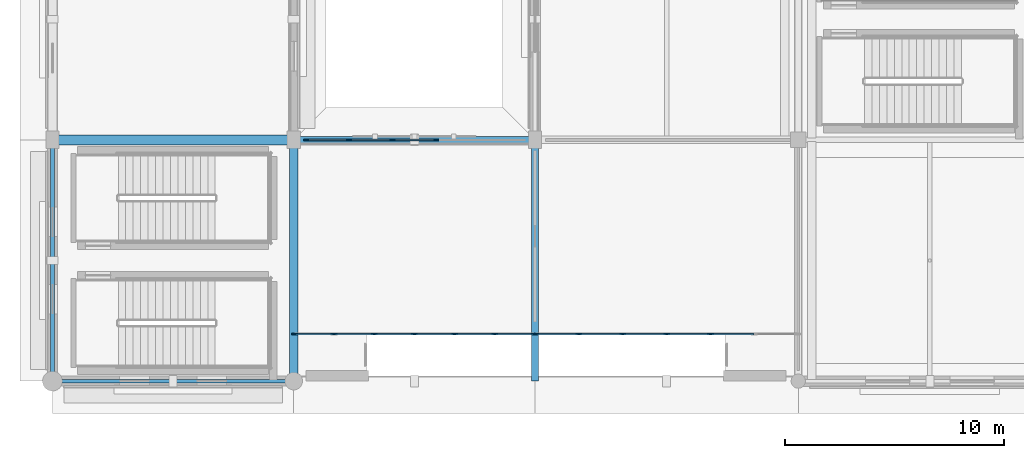
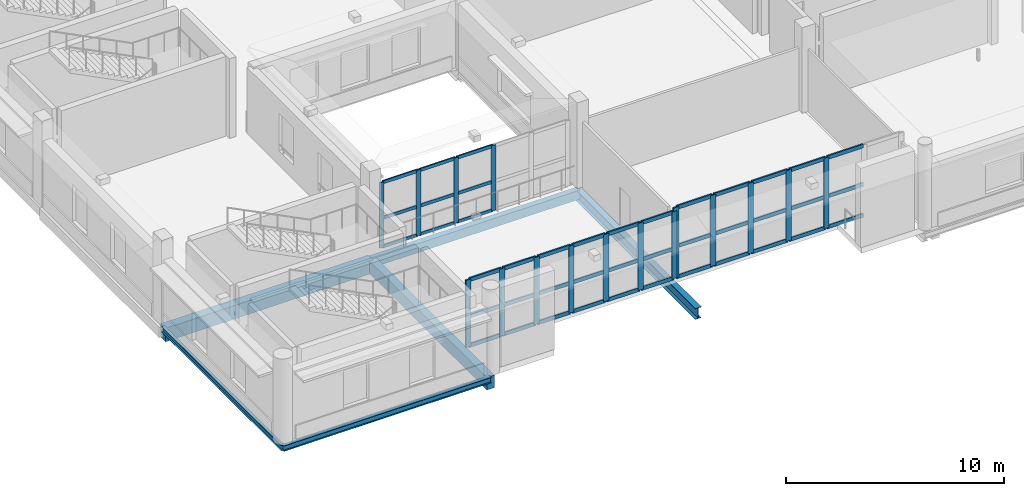
# One storey, part 22 of 143: 58 members, 6 beams, 3 elements without a shape of their own.
"""IFC4 building model written with IfcOpenShell, lengths in metres."""

from ifc_helpers import new_model, si_unit, direction, frame, origin, origin_2d, place, context, subcontext, project, spatial, rectangle, hollow_rectangle, i_section, extrude, material, material_profile, profile_set, type_object, element, aggregate, save


model = new_model("IFC4")

# Units and contexts
model_context = context("Model", 3, precision=1e-05, world=origin(), true_north=direction((0.0, 1.0)))
body_context = subcontext(model_context, "Body", "Model", "MODEL_VIEW")
ifc_project = project(units=[si_unit("LENGTHUNIT", "METRE"), si_unit("AREAUNIT", "SQUARE_METRE"), si_unit("VOLUMEUNIT", "CUBIC_METRE"), si_unit("PLANEANGLEUNIT", "RADIAN"), si_unit("MASSUNIT", "GRAM", prefix="KILO")], contexts=[model_context])

# Site, building, storey
site_placement = place(None, origin())
site = spatial("IfcSite", under=ifc_project, at=site_placement, CompositionType="ELEMENT")
building_placement = place(site_placement, origin())
building = spatial("IfcBuilding", under=site, at=building_placement, Name="Luwafu Chhajja Arena", CompositionType="ELEMENT")
storey_placement = place(building_placement, frame((0.0, 0.0, 5.39990234375)))
storey = spatial("IfcBuildingStorey", under=building, at=storey_placement, Name="L01", CompositionType="ELEMENT", Elevation=5.39990234375)

# Curtain wall, members
ifc_material_1 = material(Name="Anodised bronze aluminium", Category="aluminium")
curtain_wall_type_1 = type_object("IfcCurtainWallType", Name="Warm-Up Gallery Curtain Wall", PredefinedType="USERDEFINED", material=ifc_material_1)
curtain_wall_1_placement = place(storey_placement, origin())
curtain_wall_1 = element("IfcCurtainWall", 1, at=curtain_wall_1_placement, inside=storey, type_object=curtain_wall_type_1, Name="L01 Curtain Wall CWG-L01-H01_01", ObjectType="CURTAIN WALL", PredefinedType="USERDEFINED")
ifc_material_profile_1 = material_profile(ifc_material_1, rectangle(XDim=0.070068359375, YDim=0.239990234375, at=origin_2d()), Name="CWM 70x240")
ifc_profile_set_1 = profile_set([ifc_material_profile_1], Name="Anodised bronze aluminium")
member_type_1 = type_object("IfcMemberType", Name="Bronze Curtain Wall Mullion 70x240", PredefinedType="MULLION", material=ifc_profile_set_1)
member_1_placement = place(storey_placement, frame((11.574951171875, 11.0, 0.030029296875), z_axis=(0.0, 0.0, 1.0), x_axis=(0.0, 1.0, 0.0)))
member_1 = element("IfcMember", 2, at=member_1_placement, type_object=member_type_1, Name="CW-08 mullion 1", PredefinedType="MULLION", context=body_context, shape_type="SweptSolid", body=[
    extrude(rectangle(XDim=0.070068359375, YDim=0.239990234375, at=origin_2d()), origin(), (0.0, 0.0, 1.0), 3.66015625),
])
member_2_placement = place(storey_placement, frame((13.52392578125, 11.0, 0.030029296875), z_axis=(0.0, 0.0, 1.0), x_axis=(0.0, 1.0, 0.0)))
member_2 = element("IfcMember", 3, at=member_2_placement, type_object=member_type_1, Name="CW-08 mullion 2", PredefinedType="MULLION", context=body_context, shape_type="SweptSolid", body=[
    extrude(rectangle(XDim=0.070068359375, YDim=0.239990234375, at=origin_2d()), origin(), (0.0, 0.0, 1.0), 3.66015625),
])
member_3_placement = place(storey_placement, frame((15.508056640625, 11.0, 0.030029296875), z_axis=(0.0, 0.0, 1.0), x_axis=(0.0, 1.0, 0.0)))
member_3 = element("IfcMember", 4, at=member_3_placement, type_object=member_type_1, Name="CW-08 mullion 3", PredefinedType="MULLION", context=body_context, shape_type="SweptSolid", body=[
    extrude(rectangle(XDim=0.070068359375, YDim=0.239990234375, at=origin_2d()), origin(), (0.0, 0.0, 1.0), 3.66015625),
])
member_4_placement = place(storey_placement, frame((17.491943359375, 11.0, 0.030029296875), z_axis=(0.0, 0.0, 1.0), x_axis=(0.0, 1.0, 0.0)))
member_4 = element("IfcMember", 5, at=member_4_placement, type_object=member_type_1, Name="CW-08 mullion 4", PredefinedType="MULLION", context=body_context, shape_type="SweptSolid", body=[
    extrude(rectangle(XDim=0.070068359375, YDim=0.239990234375, at=origin_2d()), origin(), (0.0, 0.0, 1.0), 3.66015625),
])
ifc_material_profile_2 = material_profile(ifc_material_1, rectangle(XDim=0.070068359375, YDim=0.179931640625, at=origin_2d()), Name="CWT 70x180")
ifc_profile_set_2 = profile_set([ifc_material_profile_2], Name="Anodised bronze aluminium")
member_type_2 = type_object("IfcMemberType", Name="Bronze Curtain Wall Transom 70x180", PredefinedType="USERDEFINED", material=ifc_profile_set_2)
member_5_placement = place(storey_placement, frame((11.610107421875, 11.0, 0.065185546875), z_axis=(1.0, 0.0, 0.0), x_axis=(0.0, 1.0, 0.0)))
member_5 = element("IfcMember", 6, at=member_5_placement, type_object=member_type_2, Name="CW-08 transom 1.1", ObjectType="TRANSOM", PredefinedType="USERDEFINED", context=body_context, shape_type="SweptSolid", body=[
    extrude(rectangle(XDim=0.070068359375, YDim=0.179931640625, at=origin_2d()), origin(), (0.0, 0.0, 1.0), 1.87890625),
])
member_6_placement = place(storey_placement, frame((11.610107421875, 11.0, 1.66064453125), z_axis=(1.0, 0.0, 0.0), x_axis=(0.0, 1.0, 0.0)))
member_6 = element("IfcMember", 7, at=member_6_placement, type_object=member_type_2, Name="CW-08 transom 1.2", ObjectType="TRANSOM", PredefinedType="USERDEFINED", context=body_context, shape_type="SweptSolid", body=[
    extrude(rectangle(XDim=0.070068359375, YDim=0.179931640625, at=origin_2d()), origin(), (0.0, 0.0, 1.0), 1.87890625),
])
member_7_placement = place(storey_placement, frame((11.610107421875, 11.0, 3.655029296875), z_axis=(1.0, 0.0, 0.0), x_axis=(0.0, 1.0, 0.0)))
member_7 = element("IfcMember", 8, at=member_7_placement, type_object=member_type_2, Name="CW-08 transom 1.3", ObjectType="TRANSOM", PredefinedType="USERDEFINED", context=body_context, shape_type="SweptSolid", body=[
    extrude(rectangle(XDim=0.070068359375, YDim=0.179931640625, at=origin_2d()), origin(), (0.0, 0.0, 1.0), 1.87890625),
])
member_8_placement = place(storey_placement, frame((13.55908203125, 11.0, 0.065185546875), z_axis=(1.0, 0.0, 0.0), x_axis=(0.0, 1.0, 0.0)))
member_8 = element("IfcMember", 9, at=member_8_placement, type_object=member_type_2, Name="CW-08 transom 2.1", ObjectType="TRANSOM", PredefinedType="USERDEFINED", context=body_context, shape_type="SweptSolid", body=[
    extrude(rectangle(XDim=0.070068359375, YDim=0.179931640625, at=origin_2d()), origin(), (0.0, 0.0, 1.0), 1.913818359375),
])
member_9_placement = place(storey_placement, frame((13.55908203125, 11.0, 1.66064453125), z_axis=(1.0, 0.0, 0.0), x_axis=(0.0, 1.0, 0.0)))
member_9 = element("IfcMember", 10, at=member_9_placement, type_object=member_type_2, Name="CW-08 transom 2.2", ObjectType="TRANSOM", PredefinedType="USERDEFINED", context=body_context, shape_type="SweptSolid", body=[
    extrude(rectangle(XDim=0.070068359375, YDim=0.179931640625, at=origin_2d()), origin(), (0.0, 0.0, 1.0), 1.913818359375),
])
member_10_placement = place(storey_placement, frame((13.55908203125, 11.0, 3.655029296875), z_axis=(1.0, 0.0, 0.0), x_axis=(0.0, 1.0, 0.0)))
member_10 = element("IfcMember", 11, at=member_10_placement, type_object=member_type_2, Name="CW-08 transom 2.3", ObjectType="TRANSOM", PredefinedType="USERDEFINED", context=body_context, shape_type="SweptSolid", body=[
    extrude(rectangle(XDim=0.070068359375, YDim=0.179931640625, at=origin_2d()), origin(), (0.0, 0.0, 1.0), 1.913818359375),
])
member_11_placement = place(storey_placement, frame((15.54296875, 11.0, 0.065185546875), z_axis=(1.0, 0.0, 0.0), x_axis=(0.0, 1.0, 0.0)))
member_11 = element("IfcMember", 12, at=member_11_placement, type_object=member_type_2, Name="CW-08 transom 3.1", ObjectType="TRANSOM", PredefinedType="USERDEFINED", context=body_context, shape_type="SweptSolid", body=[
    extrude(rectangle(XDim=0.070068359375, YDim=0.179931640625, at=origin_2d()), origin(), (0.0, 0.0, 1.0), 1.9140625),
])
member_12_placement = place(storey_placement, frame((15.54296875, 11.0, 1.66064453125), z_axis=(1.0, 0.0, 0.0), x_axis=(0.0, 1.0, 0.0)))
member_12 = element("IfcMember", 13, at=member_12_placement, type_object=member_type_2, Name="CW-08 transom 3.2", ObjectType="TRANSOM", PredefinedType="USERDEFINED", context=body_context, shape_type="SweptSolid", body=[
    extrude(rectangle(XDim=0.070068359375, YDim=0.179931640625, at=origin_2d()), origin(), (0.0, 0.0, 1.0), 1.9140625),
])
member_13_placement = place(storey_placement, frame((15.54296875, 11.0, 3.655029296875), z_axis=(1.0, 0.0, 0.0), x_axis=(0.0, 1.0, 0.0)))
member_13 = element("IfcMember", 14, at=member_13_placement, type_object=member_type_2, Name="CW-08 transom 3.3", ObjectType="TRANSOM", PredefinedType="USERDEFINED", context=body_context, shape_type="SweptSolid", body=[
    extrude(rectangle(XDim=0.070068359375, YDim=0.179931640625, at=origin_2d()), origin(), (0.0, 0.0, 1.0), 1.9140625),
])
aggregate(curtain_wall_1, [member_1, member_2, member_3, member_4, member_5, member_6, member_7, member_8, member_9, member_10, member_11, member_12, member_13])

# Beams
ifc_material_2 = material(Name="Steel S355", Category="steel")
ifc_material_profile_3 = material_profile(ifc_material_2, i_section(OverallWidth=0.165771484375, OverallDepth=0.306640625, WebThickness=0.006591796875, FlangeThickness=0.01171875, at=origin_2d()), Name="UB 305x165x46")
ifc_profile_set_3 = profile_set([ifc_material_profile_3], Name="Steel S355")
beam_type_1 = type_object("IfcBeamType", Name="Concourse Edge Spandrel Beam UB 305x165x46", PredefinedType="SPANDREL", material=ifc_profile_set_3)
for number, where, z_axis, x_axis, name in (
    (15, (0.0, 0.0, -0.483154296875), (1.0, 0.0, 0.0), (0.0, 1.0, 0.0), "L01 Grid Beam 1-2/A"),
    (16, (0.0, 0.0, -0.483154296875), (0.0, 1.0, 0.0), (-1.0, 0.0, 0.0), "L01 Grid Beam 1/A-B"),
):
    element("IfcBeam", number, at=place(storey_placement, frame(where, z_axis=z_axis, x_axis=x_axis)), inside=storey, type_object=beam_type_1, Name=name, PredefinedType="SPANDREL", context=body_context, shape_type="SweptSolid", body=[
        extrude(i_section(OverallWidth=0.165771484375, OverallDepth=0.306640625, WebThickness=0.006591796875, FlangeThickness=0.01171875, at=origin_2d()), origin(), (0.0, 0.0, 1.0), 11.0),
    ])

# Curtain wall, members
curtain_wall_type_2 = type_object("IfcCurtainWallType", Name="Pishtaq Monumental Portal Curtain Wall", PredefinedType="USERDEFINED", material=ifc_material_1)
curtain_wall_2_placement = place(storey_placement, origin())
curtain_wall_2 = element("IfcCurtainWall", 17, at=curtain_wall_2_placement, inside=storey, type_object=curtain_wall_type_2, Name="L01 Curtain Wall CWG-L01-H01_00", ObjectType="CURTAIN WALL", PredefinedType="USERDEFINED")
ifc_material_profile_4 = material_profile(ifc_material_1, rectangle(XDim=0.080078125, YDim=0.280029296875, at=origin_2d()), Name="CWM 80x280")
ifc_profile_set_4 = profile_set([ifc_material_profile_4], Name="Anodised bronze aluminium")
member_type_3 = type_object("IfcMemberType", Name="Pishtaq Portal Mullion 80x280", PredefinedType="MULLION", material=ifc_profile_set_4)
member_14_placement = place(storey_placement, frame((11.0400390625, 2.14990234375, 0.030029296875), z_axis=(0.0, 0.0, 1.0), x_axis=(0.0, 1.0, 0.0)))
member_14 = element("IfcMember", 18, at=member_14_placement, type_object=member_type_3, Name="CW-04 mullion 1", PredefinedType="MULLION", context=body_context, shape_type="SweptSolid", body=[
    extrude(rectangle(XDim=0.080078125, YDim=0.280029296875, at=origin_2d()), origin(), (0.0, 0.0, 1.0), 3.760009765625),
])
member_15_placement = place(storey_placement, frame((12.833251953125, 2.14990234375, 0.030029296875), z_axis=(0.0, 0.0, 1.0), x_axis=(0.0, 1.0, 0.0)))
member_15 = element("IfcMember", 19, at=member_15_placement, type_object=member_type_3, Name="CW-04 mullion 2", PredefinedType="MULLION", context=body_context, shape_type="SweptSolid", body=[
    extrude(rectangle(XDim=0.080078125, YDim=0.280029296875, at=origin_2d()), origin(), (0.0, 0.0, 1.0), 3.760009765625),
])
member_16_placement = place(storey_placement, frame((14.666748046875, 2.14990234375, 0.030029296875), z_axis=(0.0, 0.0, 1.0), x_axis=(0.0, 1.0, 0.0)))
member_16 = element("IfcMember", 20, at=member_16_placement, type_object=member_type_3, Name="CW-04 mullion 3", PredefinedType="MULLION", context=body_context, shape_type="SweptSolid", body=[
    extrude(rectangle(XDim=0.080078125, YDim=0.280029296875, at=origin_2d()), origin(), (0.0, 0.0, 1.0), 3.760009765625),
])
member_17_placement = place(storey_placement, frame((16.5, 2.14990234375, 0.030029296875), z_axis=(0.0, 0.0, 1.0), x_axis=(0.0, 1.0, 0.0)))
member_17 = element("IfcMember", 21, at=member_17_placement, type_object=member_type_3, Name="CW-04 mullion 4", PredefinedType="MULLION", context=body_context, shape_type="SweptSolid", body=[
    extrude(rectangle(XDim=0.080078125, YDim=0.280029296875, at=origin_2d()), origin(), (0.0, 0.0, 1.0), 3.760009765625),
])
member_18_placement = place(storey_placement, frame((18.333251953125, 2.14990234375, 0.030029296875), z_axis=(0.0, 0.0, 1.0), x_axis=(0.0, 1.0, 0.0)))
member_18 = element("IfcMember", 22, at=member_18_placement, type_object=member_type_3, Name="CW-04 mullion 5", PredefinedType="MULLION", context=body_context, shape_type="SweptSolid", body=[
    extrude(rectangle(XDim=0.080078125, YDim=0.280029296875, at=origin_2d()), origin(), (0.0, 0.0, 1.0), 3.760009765625),
])
member_19_placement = place(storey_placement, frame((20.166748046875, 2.14990234375, 0.030029296875), z_axis=(0.0, 0.0, 1.0), x_axis=(0.0, 1.0, 0.0)))
member_19 = element("IfcMember", 23, at=member_19_placement, type_object=member_type_3, Name="CW-04 mullion 6", PredefinedType="MULLION", context=body_context, shape_type="SweptSolid", body=[
    extrude(rectangle(XDim=0.080078125, YDim=0.280029296875, at=origin_2d()), origin(), (0.0, 0.0, 1.0), 3.760009765625),
])
member_20_placement = place(storey_placement, frame((21.9599609375, 2.14990234375, 0.030029296875), z_axis=(0.0, 0.0, 1.0), x_axis=(0.0, 1.0, 0.0)))
member_20 = element("IfcMember", 24, at=member_20_placement, type_object=member_type_3, Name="CW-04 mullion 7", PredefinedType="MULLION", context=body_context, shape_type="SweptSolid", body=[
    extrude(rectangle(XDim=0.080078125, YDim=0.280029296875, at=origin_2d()), origin(), (0.0, 0.0, 1.0), 3.760009765625),
])

curtain_wall_3_placement = place(storey_placement, origin())
curtain_wall_3 = element("IfcCurtainWall", 25, at=curtain_wall_3_placement, inside=storey, type_object=curtain_wall_type_2, Name="L01 Curtain Wall CWG-L01-H02_00", ObjectType="CURTAIN WALL", PredefinedType="USERDEFINED")
member_21_placement = place(storey_placement, frame((22.0400390625, 2.14990234375, 0.030029296875), z_axis=(0.0, 0.0, 1.0), x_axis=(0.0, 1.0, 0.0)))
member_21 = element("IfcMember", 26, at=member_21_placement, type_object=member_type_3, Name="CW-04 mullion 1", PredefinedType="MULLION", context=body_context, shape_type="SweptSolid", body=[
    extrude(rectangle(XDim=0.080078125, YDim=0.280029296875, at=origin_2d()), origin(), (0.0, 0.0, 1.0), 3.9599609375),
])
member_22_placement = place(storey_placement, frame((24.0, 2.14990234375, 0.030029296875), z_axis=(0.0, 0.0, 1.0), x_axis=(0.0, 1.0, 0.0)))
member_22 = element("IfcMember", 27, at=member_22_placement, type_object=member_type_3, Name="CW-04 mullion 2", PredefinedType="MULLION", context=body_context, shape_type="SweptSolid", body=[
    extrude(rectangle(XDim=0.080078125, YDim=0.280029296875, at=origin_2d()), origin(), (0.0, 0.0, 1.0), 3.9599609375),
])
member_23_placement = place(storey_placement, frame((26.0, 2.14990234375, 0.030029296875), z_axis=(0.0, 0.0, 1.0), x_axis=(0.0, 1.0, 0.0)))
member_23 = element("IfcMember", 28, at=member_23_placement, type_object=member_type_3, Name="CW-04 mullion 3", PredefinedType="MULLION", context=body_context, shape_type="SweptSolid", body=[
    extrude(rectangle(XDim=0.080078125, YDim=0.280029296875, at=origin_2d()), origin(), (0.0, 0.0, 1.0), 3.9599609375),
])
member_24_placement = place(storey_placement, frame((28.0, 2.14990234375, 0.030029296875), z_axis=(0.0, 0.0, 1.0), x_axis=(0.0, 1.0, 0.0)))
member_24 = element("IfcMember", 29, at=member_24_placement, type_object=member_type_3, Name="CW-04 mullion 4", PredefinedType="MULLION", context=body_context, shape_type="SweptSolid", body=[
    extrude(rectangle(XDim=0.080078125, YDim=0.280029296875, at=origin_2d()), origin(), (0.0, 0.0, 1.0), 3.9599609375),
])
member_25_placement = place(storey_placement, frame((30.0, 2.14990234375, 0.030029296875), z_axis=(0.0, 0.0, 1.0), x_axis=(0.0, 1.0, 0.0)))
member_25 = element("IfcMember", 30, at=member_25_placement, type_object=member_type_3, Name="CW-04 mullion 5", PredefinedType="MULLION", context=body_context, shape_type="SweptSolid", body=[
    extrude(rectangle(XDim=0.080078125, YDim=0.280029296875, at=origin_2d()), origin(), (0.0, 0.0, 1.0), 3.9599609375),
])

# Member
ifc_material_profile_5 = material_profile(ifc_material_1, rectangle(XDim=0.080078125, YDim=0.2099609375, at=origin_2d()), Name="CWT 80x210")
ifc_profile_set_5 = profile_set([ifc_material_profile_5], Name="Anodised bronze aluminium")
member_type_4 = type_object("IfcMemberType", Name="Pishtaq Portal Transom 80x210", PredefinedType="USERDEFINED", material=ifc_profile_set_5)
member_26_placement = place(storey_placement, frame((11.080078125, 2.14990234375, 0.070068359375), z_axis=(1.0, 0.0, 0.0), x_axis=(0.0, 1.0, 0.0)))
member_26 = element("IfcMember", 31, at=member_26_placement, type_object=member_type_4, Name="CW-04 transom 1.1", ObjectType="TRANSOM", PredefinedType="USERDEFINED", context=body_context, shape_type="SweptSolid", body=[
    extrude(rectangle(XDim=0.080078125, YDim=0.2099609375, at=origin_2d()), origin(), (0.0, 0.0, 1.0), 1.713134765625),
])

member_27_placement = place(storey_placement, frame((11.080078125, 2.14990234375, 1.70556640625), z_axis=(1.0, 0.0, 0.0), x_axis=(0.0, 1.0, 0.0)))
member_27 = element("IfcMember", 32, at=member_27_placement, type_object=member_type_4, Name="CW-04 transom 1.2", ObjectType="TRANSOM", PredefinedType="USERDEFINED", context=body_context, shape_type="SweptSolid", body=[
    extrude(rectangle(XDim=0.080078125, YDim=0.2099609375, at=origin_2d()), origin(), (0.0, 0.0, 1.0), 1.713134765625),
])

member_28_placement = place(storey_placement, frame((11.080078125, 2.14990234375, 3.75), z_axis=(1.0, 0.0, 0.0), x_axis=(0.0, 1.0, 0.0)))
member_28 = element("IfcMember", 33, at=member_28_placement, type_object=member_type_4, Name="CW-04 transom 1.3", ObjectType="TRANSOM", PredefinedType="USERDEFINED", context=body_context, shape_type="SweptSolid", body=[
    extrude(rectangle(XDim=0.080078125, YDim=0.2099609375, at=origin_2d()), origin(), (0.0, 0.0, 1.0), 1.713134765625),
])

member_29_placement = place(storey_placement, frame((12.873291015625, 2.14990234375, 0.070068359375), z_axis=(1.0, 0.0, 0.0), x_axis=(0.0, 1.0, 0.0)))
member_29 = element("IfcMember", 34, at=member_29_placement, type_object=member_type_4, Name="CW-04 transom 2.1", ObjectType="TRANSOM", PredefinedType="USERDEFINED", context=body_context, shape_type="SweptSolid", body=[
    extrude(rectangle(XDim=0.080078125, YDim=0.2099609375, at=origin_2d()), origin(), (0.0, 0.0, 1.0), 1.75341796875),
])

member_30_placement = place(storey_placement, frame((12.873291015625, 2.14990234375, 1.70556640625), z_axis=(1.0, 0.0, 0.0), x_axis=(0.0, 1.0, 0.0)))
member_30 = element("IfcMember", 35, at=member_30_placement, type_object=member_type_4, Name="CW-04 transom 2.2", ObjectType="TRANSOM", PredefinedType="USERDEFINED", context=body_context, shape_type="SweptSolid", body=[
    extrude(rectangle(XDim=0.080078125, YDim=0.2099609375, at=origin_2d()), origin(), (0.0, 0.0, 1.0), 1.75341796875),
])

member_31_placement = place(storey_placement, frame((12.873291015625, 2.14990234375, 3.75), z_axis=(1.0, 0.0, 0.0), x_axis=(0.0, 1.0, 0.0)))
member_31 = element("IfcMember", 36, at=member_31_placement, type_object=member_type_4, Name="CW-04 transom 2.3", ObjectType="TRANSOM", PredefinedType="USERDEFINED", context=body_context, shape_type="SweptSolid", body=[
    extrude(rectangle(XDim=0.080078125, YDim=0.2099609375, at=origin_2d()), origin(), (0.0, 0.0, 1.0), 1.75341796875),
])

member_32_placement = place(storey_placement, frame((14.706787109375, 2.14990234375, 0.070068359375), z_axis=(1.0, 0.0, 0.0), x_axis=(0.0, 1.0, 0.0)))
member_32 = element("IfcMember", 37, at=member_32_placement, type_object=member_type_4, Name="CW-04 transom 3.1", ObjectType="TRANSOM", PredefinedType="USERDEFINED", context=body_context, shape_type="SweptSolid", body=[
    extrude(rectangle(XDim=0.080078125, YDim=0.2099609375, at=origin_2d()), origin(), (0.0, 0.0, 1.0), 1.753173828125),
])

member_33_placement = place(storey_placement, frame((14.706787109375, 2.14990234375, 1.70556640625), z_axis=(1.0, 0.0, 0.0), x_axis=(0.0, 1.0, 0.0)))
member_33 = element("IfcMember", 38, at=member_33_placement, type_object=member_type_4, Name="CW-04 transom 3.2", ObjectType="TRANSOM", PredefinedType="USERDEFINED", context=body_context, shape_type="SweptSolid", body=[
    extrude(rectangle(XDim=0.080078125, YDim=0.2099609375, at=origin_2d()), origin(), (0.0, 0.0, 1.0), 1.753173828125),
])

member_34_placement = place(storey_placement, frame((14.706787109375, 2.14990234375, 3.75), z_axis=(1.0, 0.0, 0.0), x_axis=(0.0, 1.0, 0.0)))
member_34 = element("IfcMember", 39, at=member_34_placement, type_object=member_type_4, Name="CW-04 transom 3.3", ObjectType="TRANSOM", PredefinedType="USERDEFINED", context=body_context, shape_type="SweptSolid", body=[
    extrude(rectangle(XDim=0.080078125, YDim=0.2099609375, at=origin_2d()), origin(), (0.0, 0.0, 1.0), 1.753173828125),
])

member_35_placement = place(storey_placement, frame((16.5400390625, 2.14990234375, 0.070068359375), z_axis=(1.0, 0.0, 0.0), x_axis=(0.0, 1.0, 0.0)))
member_35 = element("IfcMember", 40, at=member_35_placement, type_object=member_type_4, Name="CW-04 transom 4.1", ObjectType="TRANSOM", PredefinedType="USERDEFINED", context=body_context, shape_type="SweptSolid", body=[
    extrude(rectangle(XDim=0.080078125, YDim=0.2099609375, at=origin_2d()), origin(), (0.0, 0.0, 1.0), 1.753173828125),
])

member_36_placement = place(storey_placement, frame((16.5400390625, 2.14990234375, 1.70556640625), z_axis=(1.0, 0.0, 0.0), x_axis=(0.0, 1.0, 0.0)))
member_36 = element("IfcMember", 41, at=member_36_placement, type_object=member_type_4, Name="CW-04 transom 4.2", ObjectType="TRANSOM", PredefinedType="USERDEFINED", context=body_context, shape_type="SweptSolid", body=[
    extrude(rectangle(XDim=0.080078125, YDim=0.2099609375, at=origin_2d()), origin(), (0.0, 0.0, 1.0), 1.753173828125),
])

member_37_placement = place(storey_placement, frame((16.5400390625, 2.14990234375, 3.75), z_axis=(1.0, 0.0, 0.0), x_axis=(0.0, 1.0, 0.0)))
member_37 = element("IfcMember", 42, at=member_37_placement, type_object=member_type_4, Name="CW-04 transom 4.3", ObjectType="TRANSOM", PredefinedType="USERDEFINED", context=body_context, shape_type="SweptSolid", body=[
    extrude(rectangle(XDim=0.080078125, YDim=0.2099609375, at=origin_2d()), origin(), (0.0, 0.0, 1.0), 1.753173828125),
])

member_38_placement = place(storey_placement, frame((18.373291015625, 2.14990234375, 0.070068359375), z_axis=(1.0, 0.0, 0.0), x_axis=(0.0, 1.0, 0.0)))
member_38 = element("IfcMember", 43, at=member_38_placement, type_object=member_type_4, Name="CW-04 transom 5.1", ObjectType="TRANSOM", PredefinedType="USERDEFINED", context=body_context, shape_type="SweptSolid", body=[
    extrude(rectangle(XDim=0.080078125, YDim=0.2099609375, at=origin_2d()), origin(), (0.0, 0.0, 1.0), 1.75341796875),
])

member_39_placement = place(storey_placement, frame((18.373291015625, 2.14990234375, 1.70556640625), z_axis=(1.0, 0.0, 0.0), x_axis=(0.0, 1.0, 0.0)))
member_39 = element("IfcMember", 44, at=member_39_placement, type_object=member_type_4, Name="CW-04 transom 5.2", ObjectType="TRANSOM", PredefinedType="USERDEFINED", context=body_context, shape_type="SweptSolid", body=[
    extrude(rectangle(XDim=0.080078125, YDim=0.2099609375, at=origin_2d()), origin(), (0.0, 0.0, 1.0), 1.75341796875),
])

member_40_placement = place(storey_placement, frame((18.373291015625, 2.14990234375, 3.75), z_axis=(1.0, 0.0, 0.0), x_axis=(0.0, 1.0, 0.0)))
member_40 = element("IfcMember", 45, at=member_40_placement, type_object=member_type_4, Name="CW-04 transom 5.3", ObjectType="TRANSOM", PredefinedType="USERDEFINED", context=body_context, shape_type="SweptSolid", body=[
    extrude(rectangle(XDim=0.080078125, YDim=0.2099609375, at=origin_2d()), origin(), (0.0, 0.0, 1.0), 1.75341796875),
])

member_41_placement = place(storey_placement, frame((20.206787109375, 2.14990234375, 0.070068359375), z_axis=(1.0, 0.0, 0.0), x_axis=(0.0, 1.0, 0.0)))
member_41 = element("IfcMember", 46, at=member_41_placement, type_object=member_type_4, Name="CW-04 transom 6.1", ObjectType="TRANSOM", PredefinedType="USERDEFINED", context=body_context, shape_type="SweptSolid", body=[
    extrude(rectangle(XDim=0.080078125, YDim=0.2099609375, at=origin_2d()), origin(), (0.0, 0.0, 1.0), 1.713134765625),
])

member_42_placement = place(storey_placement, frame((20.206787109375, 2.14990234375, 1.70556640625), z_axis=(1.0, 0.0, 0.0), x_axis=(0.0, 1.0, 0.0)))
member_42 = element("IfcMember", 47, at=member_42_placement, type_object=member_type_4, Name="CW-04 transom 6.2", ObjectType="TRANSOM", PredefinedType="USERDEFINED", context=body_context, shape_type="SweptSolid", body=[
    extrude(rectangle(XDim=0.080078125, YDim=0.2099609375, at=origin_2d()), origin(), (0.0, 0.0, 1.0), 1.713134765625),
])

member_43_placement = place(storey_placement, frame((20.206787109375, 2.14990234375, 3.75), z_axis=(1.0, 0.0, 0.0), x_axis=(0.0, 1.0, 0.0)))
member_43 = element("IfcMember", 48, at=member_43_placement, type_object=member_type_4, Name="CW-04 transom 6.3", ObjectType="TRANSOM", PredefinedType="USERDEFINED", context=body_context, shape_type="SweptSolid", body=[
    extrude(rectangle(XDim=0.080078125, YDim=0.2099609375, at=origin_2d()), origin(), (0.0, 0.0, 1.0), 1.713134765625),
])

aggregate(curtain_wall_2, [member_14, member_15, member_16, member_17, member_18, member_19, member_20, member_26, member_27, member_28, member_29, member_30, member_31, member_32, member_33, member_34, member_35, member_36, member_37, member_38, member_39, member_40, member_41, member_42, member_43])

member_44_placement = place(storey_placement, frame((22.080078125, 2.14990234375, 0.070068359375), z_axis=(1.0, 0.0, 0.0), x_axis=(0.0, 1.0, 0.0)))
member_44 = element("IfcMember", 49, at=member_44_placement, type_object=member_type_4, Name="CW-04 transom 1.1", ObjectType="TRANSOM", PredefinedType="USERDEFINED", context=body_context, shape_type="SweptSolid", body=[
    extrude(rectangle(XDim=0.080078125, YDim=0.2099609375, at=origin_2d()), origin(), (0.0, 0.0, 1.0), 1.8798828125),
])

member_45_placement = place(storey_placement, frame((22.080078125, 2.14990234375, 1.795654296875), z_axis=(1.0, 0.0, 0.0), x_axis=(0.0, 1.0, 0.0)))
member_45 = element("IfcMember", 50, at=member_45_placement, type_object=member_type_4, Name="CW-04 transom 1.2", ObjectType="TRANSOM", PredefinedType="USERDEFINED", context=body_context, shape_type="SweptSolid", body=[
    extrude(rectangle(XDim=0.080078125, YDim=0.2099609375, at=origin_2d()), origin(), (0.0, 0.0, 1.0), 1.8798828125),
])

member_46_placement = place(storey_placement, frame((22.080078125, 2.14990234375, 3.9501953125), z_axis=(1.0, 0.0, 0.0), x_axis=(0.0, 1.0, 0.0)))
member_46 = element("IfcMember", 51, at=member_46_placement, type_object=member_type_4, Name="CW-04 transom 1.3", ObjectType="TRANSOM", PredefinedType="USERDEFINED", context=body_context, shape_type="SweptSolid", body=[
    extrude(rectangle(XDim=0.080078125, YDim=0.2099609375, at=origin_2d()), origin(), (0.0, 0.0, 1.0), 1.8798828125),
])

member_47_placement = place(storey_placement, frame((24.0400390625, 2.14990234375, 0.070068359375), z_axis=(1.0, 0.0, 0.0), x_axis=(0.0, 1.0, 0.0)))
member_47 = element("IfcMember", 52, at=member_47_placement, type_object=member_type_4, Name="CW-04 transom 2.1", ObjectType="TRANSOM", PredefinedType="USERDEFINED", context=body_context, shape_type="SweptSolid", body=[
    extrude(rectangle(XDim=0.080078125, YDim=0.2099609375, at=origin_2d()), origin(), (0.0, 0.0, 1.0), 1.919921875),
])

member_48_placement = place(storey_placement, frame((24.0400390625, 2.14990234375, 1.795654296875), z_axis=(1.0, 0.0, 0.0), x_axis=(0.0, 1.0, 0.0)))
member_48 = element("IfcMember", 53, at=member_48_placement, type_object=member_type_4, Name="CW-04 transom 2.2", ObjectType="TRANSOM", PredefinedType="USERDEFINED", context=body_context, shape_type="SweptSolid", body=[
    extrude(rectangle(XDim=0.080078125, YDim=0.2099609375, at=origin_2d()), origin(), (0.0, 0.0, 1.0), 1.919921875),
])

member_49_placement = place(storey_placement, frame((24.0400390625, 2.14990234375, 3.9501953125), z_axis=(1.0, 0.0, 0.0), x_axis=(0.0, 1.0, 0.0)))
member_49 = element("IfcMember", 54, at=member_49_placement, type_object=member_type_4, Name="CW-04 transom 2.3", ObjectType="TRANSOM", PredefinedType="USERDEFINED", context=body_context, shape_type="SweptSolid", body=[
    extrude(rectangle(XDim=0.080078125, YDim=0.2099609375, at=origin_2d()), origin(), (0.0, 0.0, 1.0), 1.919921875),
])

member_50_placement = place(storey_placement, frame((26.0400390625, 2.14990234375, 0.070068359375), z_axis=(1.0, 0.0, 0.0), x_axis=(0.0, 1.0, 0.0)))
member_50 = element("IfcMember", 55, at=member_50_placement, type_object=member_type_4, Name="CW-04 transom 3.1", ObjectType="TRANSOM", PredefinedType="USERDEFINED", context=body_context, shape_type="SweptSolid", body=[
    extrude(rectangle(XDim=0.080078125, YDim=0.2099609375, at=origin_2d()), origin(), (0.0, 0.0, 1.0), 1.919921875),
])

member_51_placement = place(storey_placement, frame((26.0400390625, 2.14990234375, 1.795654296875), z_axis=(1.0, 0.0, 0.0), x_axis=(0.0, 1.0, 0.0)))
member_51 = element("IfcMember", 56, at=member_51_placement, type_object=member_type_4, Name="CW-04 transom 3.2", ObjectType="TRANSOM", PredefinedType="USERDEFINED", context=body_context, shape_type="SweptSolid", body=[
    extrude(rectangle(XDim=0.080078125, YDim=0.2099609375, at=origin_2d()), origin(), (0.0, 0.0, 1.0), 1.919921875),
])

member_52_placement = place(storey_placement, frame((26.0400390625, 2.14990234375, 3.9501953125), z_axis=(1.0, 0.0, 0.0), x_axis=(0.0, 1.0, 0.0)))
member_52 = element("IfcMember", 57, at=member_52_placement, type_object=member_type_4, Name="CW-04 transom 3.3", ObjectType="TRANSOM", PredefinedType="USERDEFINED", context=body_context, shape_type="SweptSolid", body=[
    extrude(rectangle(XDim=0.080078125, YDim=0.2099609375, at=origin_2d()), origin(), (0.0, 0.0, 1.0), 1.919921875),
])

member_53_placement = place(storey_placement, frame((28.0400390625, 2.14990234375, 0.070068359375), z_axis=(1.0, 0.0, 0.0), x_axis=(0.0, 1.0, 0.0)))
member_53 = element("IfcMember", 58, at=member_53_placement, type_object=member_type_4, Name="CW-04 transom 4.1", ObjectType="TRANSOM", PredefinedType="USERDEFINED", context=body_context, shape_type="SweptSolid", body=[
    extrude(rectangle(XDim=0.080078125, YDim=0.2099609375, at=origin_2d()), origin(), (0.0, 0.0, 1.0), 1.919921875),
])

member_54_placement = place(storey_placement, frame((28.0400390625, 2.14990234375, 1.795654296875), z_axis=(1.0, 0.0, 0.0), x_axis=(0.0, 1.0, 0.0)))
member_54 = element("IfcMember", 59, at=member_54_placement, type_object=member_type_4, Name="CW-04 transom 4.2", ObjectType="TRANSOM", PredefinedType="USERDEFINED", context=body_context, shape_type="SweptSolid", body=[
    extrude(rectangle(XDim=0.080078125, YDim=0.2099609375, at=origin_2d()), origin(), (0.0, 0.0, 1.0), 1.919921875),
])

member_55_placement = place(storey_placement, frame((28.0400390625, 2.14990234375, 3.9501953125), z_axis=(1.0, 0.0, 0.0), x_axis=(0.0, 1.0, 0.0)))
member_55 = element("IfcMember", 60, at=member_55_placement, type_object=member_type_4, Name="CW-04 transom 4.3", ObjectType="TRANSOM", PredefinedType="USERDEFINED", context=body_context, shape_type="SweptSolid", body=[
    extrude(rectangle(XDim=0.080078125, YDim=0.2099609375, at=origin_2d()), origin(), (0.0, 0.0, 1.0), 1.919921875),
])

member_56_placement = place(storey_placement, frame((30.0400390625, 2.14990234375, 0.070068359375), z_axis=(1.0, 0.0, 0.0), x_axis=(0.0, 1.0, 0.0)))
member_56 = element("IfcMember", 61, at=member_56_placement, type_object=member_type_4, Name="CW-04 transom 5.1", ObjectType="TRANSOM", PredefinedType="USERDEFINED", context=body_context, shape_type="SweptSolid", body=[
    extrude(rectangle(XDim=0.080078125, YDim=0.2099609375, at=origin_2d()), origin(), (0.0, 0.0, 1.0), 1.919921875),
])

member_57_placement = place(storey_placement, frame((30.0400390625, 2.14990234375, 1.795654296875), z_axis=(1.0, 0.0, 0.0), x_axis=(0.0, 1.0, 0.0)))
member_57 = element("IfcMember", 62, at=member_57_placement, type_object=member_type_4, Name="CW-04 transom 5.2", ObjectType="TRANSOM", PredefinedType="USERDEFINED", context=body_context, shape_type="SweptSolid", body=[
    extrude(rectangle(XDim=0.080078125, YDim=0.2099609375, at=origin_2d()), origin(), (0.0, 0.0, 1.0), 1.919921875),
])

member_58_placement = place(storey_placement, frame((30.0400390625, 2.14990234375, 3.9501953125), z_axis=(1.0, 0.0, 0.0), x_axis=(0.0, 1.0, 0.0)))
member_58 = element("IfcMember", 63, at=member_58_placement, type_object=member_type_4, Name="CW-04 transom 5.3", ObjectType="TRANSOM", PredefinedType="USERDEFINED", context=body_context, shape_type="SweptSolid", body=[
    extrude(rectangle(XDim=0.080078125, YDim=0.2099609375, at=origin_2d()), origin(), (0.0, 0.0, 1.0), 1.919921875),
])

aggregate(curtain_wall_3, [member_21, member_22, member_23, member_24, member_25, member_44, member_45, member_46, member_47, member_48, member_49, member_50, member_51, member_52, member_53, member_54, member_55, member_56, member_57, member_58])

# Beams
ifc_material_profile_6 = material_profile(ifc_material_2, hollow_rectangle(XDim=0.300048828125, YDim=0.5, WallThickness=0.02001953125, at=origin_2d()), Name="RHS 500x300x20")
ifc_profile_set_6 = profile_set([ifc_material_profile_6], Name="Steel S355")
beam_type_2 = type_object("IfcBeamType", Name="Pleated Drum Spandrel Beam RHS 500x300", PredefinedType="SPANDREL", material=ifc_profile_set_6)
beam_1_placement = place(storey_placement, frame((11.0, 11.0, -0.579833984375), z_axis=(1.0, 0.0, 0.0), x_axis=(0.0, 1.0, 0.0)))
element("IfcBeam", 64, at=beam_1_placement, inside=storey, type_object=beam_type_2, Name="L01 Grid Beam 2-3/B", PredefinedType="SPANDREL", context=body_context, shape_type="SweptSolid", body=[
    extrude(hollow_rectangle(XDim=0.300048828125, YDim=0.5, WallThickness=0.02001953125, at=origin_2d()), origin(), (0.0, 0.0, 1.0), 11.0),
])
ifc_material_profile_7 = material_profile(ifc_material_2, i_section(OverallWidth=0.30712890625, OverallDepth=0.6201171875, WebThickness=0.01416015625, FlangeThickness=0.023681640625, at=origin_2d()), Name="UB 610x305x179")
ifc_profile_set_7 = profile_set([ifc_material_profile_7], Name="Steel S355")
beam_type_3 = type_object("IfcBeamType", Name="Steel Hospitality Girder UB 610x305x179", PredefinedType="BEAM", material=ifc_profile_set_7)
beam_2_placement = place(storey_placement, frame((22.0, 0.0, -0.639892578125), z_axis=(0.0, 1.0, 0.0), x_axis=(-1.0, 0.0, 0.0)))
element("IfcBeam", 65, at=beam_2_placement, inside=storey, type_object=beam_type_3, Name="L01 Grid Beam 3/A-B", PredefinedType="BEAM", context=body_context, shape_type="SweptSolid", body=[
    extrude(i_section(OverallWidth=0.30712890625, OverallDepth=0.6201171875, WebThickness=0.01416015625, FlangeThickness=0.023681640625, at=origin_2d()), origin(), (0.0, 0.0, 1.0), 11.0),
])
ifc_material_3 = material(Name="Concrete C35/45", Category="concrete")
ifc_material_profile_8 = material_profile(ifc_material_3, rectangle(XDim=0.39990234375, YDim=0.699951171875, at=origin_2d()), Name="RC 400x700")
ifc_profile_set_8 = profile_set([ifc_material_profile_8], Name="Concrete C35/45")
beam_type_4 = type_object("IfcBeamType", Name="Wing Frame Beam RC 400x700", PredefinedType="BEAM", material=ifc_profile_set_8)
beam_3_placement = place(storey_placement, frame((11.0, 0.0, -0.679931640625), z_axis=(0.0, 1.0, 0.0), x_axis=(-1.0, 0.0, 0.0)))
element("IfcBeam", 66, at=beam_3_placement, inside=storey, type_object=beam_type_4, Name="L01 Grid Beam 2/A-B", PredefinedType="BEAM", context=body_context, shape_type="SweptSolid", body=[
    extrude(rectangle(XDim=0.39990234375, YDim=0.699951171875, at=origin_2d()), origin(), (0.0, 0.0, 1.0), 11.0),
])
ifc_material_profile_9 = material_profile(ifc_material_3, rectangle(XDim=0.449951171875, YDim=0.75, at=origin_2d()), Name="RC 450x750")
ifc_profile_set_9 = profile_set([ifc_material_profile_9], Name="Concrete C35/45")
beam_type_5 = type_object("IfcBeamType", Name="Wing Primary Beam RC 450x750", PredefinedType="BEAM", material=ifc_profile_set_9)
beam_4_placement = place(storey_placement, frame((0.0, 11.0, -0.704833984375), z_axis=(1.0, 0.0, 0.0), x_axis=(0.0, 1.0, 0.0)))
element("IfcBeam", 67, at=beam_4_placement, inside=storey, type_object=beam_type_5, Name="L01 Grid Beam 1-2/B", PredefinedType="BEAM", context=body_context, shape_type="SweptSolid", body=[
    extrude(rectangle(XDim=0.449951171875, YDim=0.75, at=origin_2d()), origin(), (0.0, 0.0, 1.0), 11.0),
])

save(model, "model.ifc")
